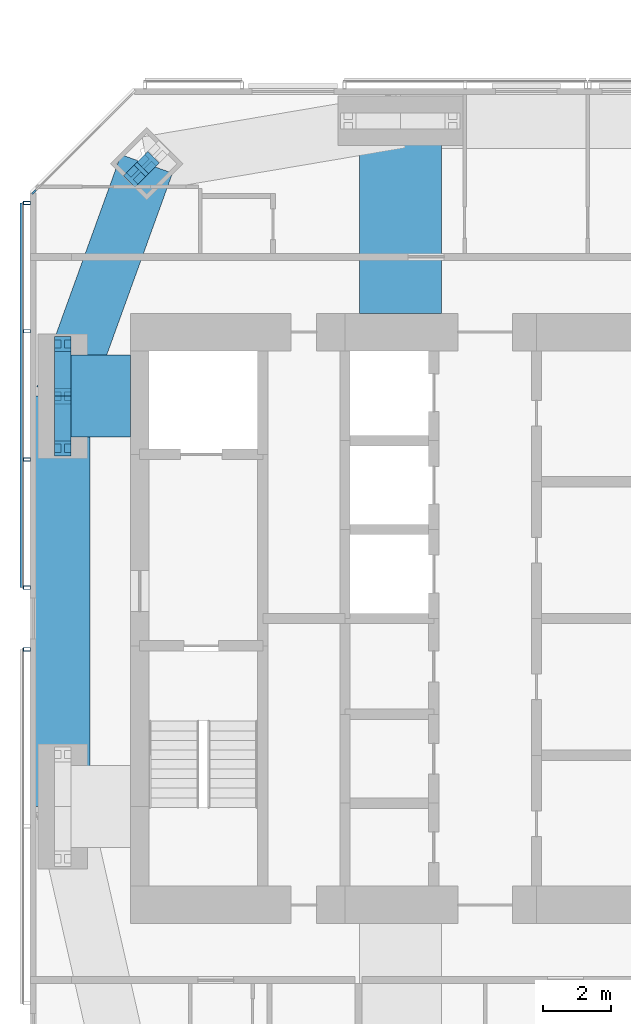
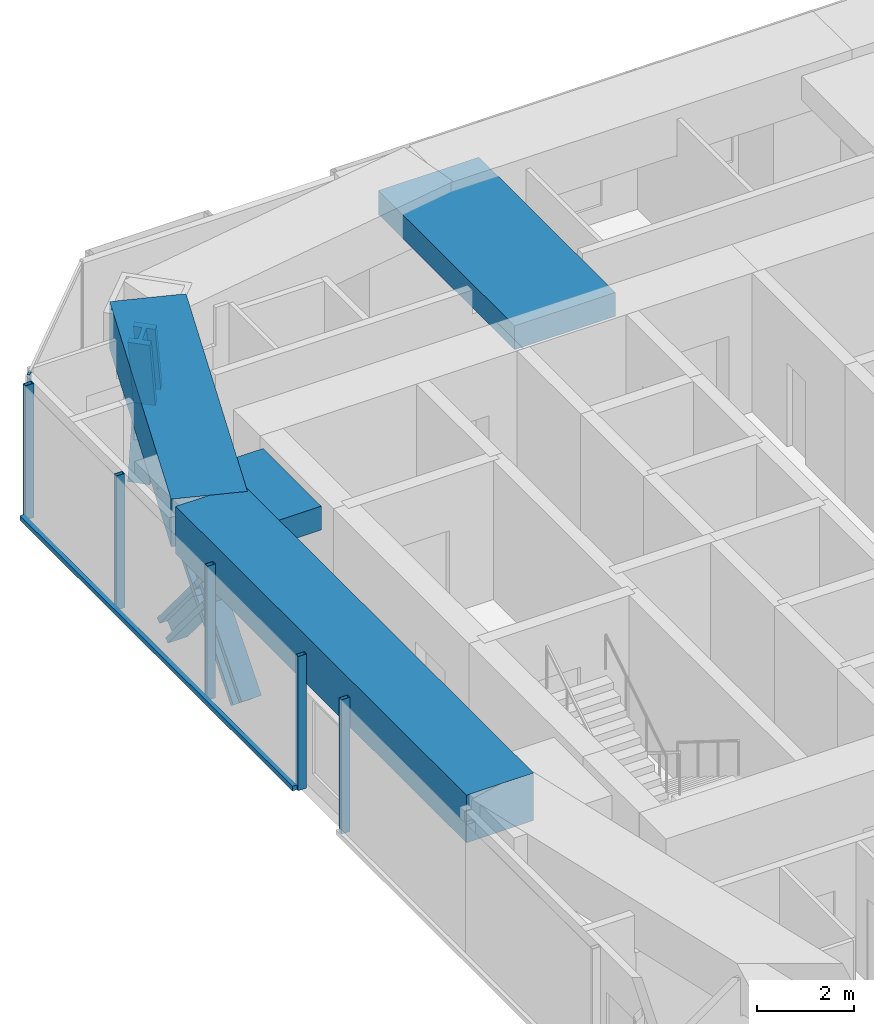
# One storey, part 6 of 19: 13 members, 4 beams, 3 elements without a shape of their own.
"""IFC4 building model written with IfcOpenShell, lengths in metres."""

from ifc_helpers import new_model, si_unit, direction, frame, origin, origin_2d, place, context, subcontext, project, spatial, rectangle, hollow_rectangle, i_section, extrude, material, material_profile, profile_set, type_object, element, aggregate, save


model = new_model("IFC4")

# Units and contexts
model_context = context("Model", 3, precision=1e-05, world=origin(), true_north=direction((0.0, 1.0)))
body_context = subcontext(model_context, "Body", "Model", "MODEL_VIEW")
ifc_project = project(units=[si_unit("LENGTHUNIT", "METRE"), si_unit("AREAUNIT", "SQUARE_METRE"), si_unit("VOLUMEUNIT", "CUBIC_METRE"), si_unit("PLANEANGLEUNIT", "RADIAN"), si_unit("MASSUNIT", "GRAM", prefix="KILO")], contexts=[model_context])

# Site, building, storey
site_placement = place(None, origin())
site = spatial("IfcSite", under=ifc_project, at=site_placement, CompositionType="ELEMENT")
building_placement = place(site_placement, origin())
building = spatial("IfcBuilding", under=site, at=building_placement, Name="Jalousie Tower", CompositionType="ELEMENT")
storey_placement = place(building_placement, frame((0.0, 0.0, 217.949951171875)))
storey = spatial("IfcBuildingStorey", under=building, at=storey_placement, Name="L59", CompositionType="ELEMENT", Elevation=217.949951171875)

# Curtain wall, member
ifc_material_1 = material(Name="Aluminium curtain wall", Category="aluminium")
curtain_wall_type_1 = type_object("IfcCurtainWallType", Name="CORNER WINDOW WALL", PredefinedType="USERDEFINED", material=ifc_material_1)
curtain_wall_1_placement = place(storey_placement, origin())
curtain_wall_1 = element("IfcCurtainWall", 1, at=curtain_wall_1_placement, inside=storey, type_object=curtain_wall_type_1, Name="Corner Window Wall L59 6", ObjectType="CORNER WINDOW WALL", PredefinedType="USERDEFINED")
ifc_material_2 = material(Name="Aluminium mullion", Category="aluminium")
ifc_material_profile_1 = material_profile(ifc_material_2, rectangle(XDim=0.06005859375, YDim=0.14990234375, at=origin_2d()), Name="MULLION 60x150")
ifc_profile_set_1 = profile_set([ifc_material_profile_1], Name="Aluminium mullion")
member_type_1 = type_object("IfcMemberType", Name="CORNER WINDOW WALL MULLION", PredefinedType="MULLION", material=ifc_profile_set_1)
member_1_placement = place(storey_placement, frame((16.90869140625, 30.969970703125, 0.0), z_axis=(0.0, 0.0, 1.0), x_axis=(0.707106781187, -0.707106781187, 0.0)))
member_1 = element("IfcMember", 2, at=member_1_placement, type_object=member_type_1, Name="CW-C mullion 2", PredefinedType="MULLION", context=body_context, shape_type="SweptSolid", body=[
    extrude(rectangle(XDim=0.06005859375, YDim=0.14990234375, at=origin_2d()), origin(), (0.0, 0.0, 1.0), 3.260009765625),
])
aggregate(curtain_wall_1, [member_1])

# Members
ifc_material_3 = material(Name="Steel ASTM A992 Grade 50", Category="steel")
ifc_material_profile_2 = material_profile(ifc_material_3, i_section(OverallWidth=0.472412109375, OverallDepth=0.5791015625, WebThickness=0.094970703125, FlangeThickness=0.1298828125, at=origin_2d()), Name="W14X808")
ifc_profile_set_2 = profile_set([ifc_material_profile_2], Name="Steel ASTM A992 Grade 50")
member_type_2 = type_object("IfcMemberType", Name="PERIMETER BRACE W14X808", PredefinedType="BRACE", material=ifc_profile_set_2)
member_2_placement = place(storey_placement, frame((20.20703125, 31.79296875, 1.074951171875), z_axis=(-0.169222490292, -0.169352361735, 0.970918908228), x_axis=(0.707377963048, -0.706835495285, 0.0)))
element("IfcMember", 3, at=member_2_placement, inside=storey, type_object=member_type_2, Name="Perimeter brace 12 L59 part 2", PredefinedType="BRACE", context=body_context, shape_type="SweptSolid", body=[
    extrude(i_section(OverallWidth=0.472412109375, OverallDepth=0.5791015625, WebThickness=0.094970703125, FlangeThickness=0.1298828125, at=origin_2d()), origin(), (0.0, 0.0, 1.0), 1.8798828125),
])
member_3_placement = place(storey_placement, frame((19.888916015625, 31.474609375, -0.75), z_axis=(0.16924383095, 0.169373718771, 0.970911463047), x_axis=(-0.707377963048, 0.706835495285, 0.0)))
element("IfcMember", 4, at=member_3_placement, inside=storey, type_object=member_type_2, Name="Perimeter brace 12 L59 part 3", PredefinedType="BRACE", context=body_context, shape_type="SweptSolid", body=[
    extrude(i_section(OverallWidth=0.472412109375, OverallDepth=0.5791015625, WebThickness=0.094970703125, FlangeThickness=0.1298828125, at=origin_2d()), origin(), (0.0, 0.0, 1.0), 1.879638671875),
])
member_4_placement = place(storey_placement, frame((17.75, 23.47509765625, -0.75), z_axis=(0.0, 0.641203686759, 0.767370726629), x_axis=(-1.0, 0.0, 0.0)))
element("IfcMember", 5, at=member_4_placement, inside=storey, type_object=member_type_2, Name="Perimeter brace 13 L59 part 1", PredefinedType="BRACE", context=body_context, shape_type="SweptSolid", body=[
    extrude(i_section(OverallWidth=0.472412109375, OverallDepth=0.5791015625, WebThickness=0.094970703125, FlangeThickness=0.1298828125, at=origin_2d()), origin(), (0.0, 0.0, 1.0), 2.378173828125),
])
member_5_placement = place(storey_placement, frame((17.75, 25.0, 1.074951171875), z_axis=(0.0, 0.641153177267, 0.767412928794), x_axis=(-1.0, 0.0, 0.0)))
element("IfcMember", 6, at=member_5_placement, inside=storey, type_object=member_type_2, Name="Perimeter brace 13 L59 part 2", PredefinedType="BRACE", context=body_context, shape_type="SweptSolid", body=[
    extrude(i_section(OverallWidth=0.472412109375, OverallDepth=0.5791015625, WebThickness=0.094970703125, FlangeThickness=0.1298828125, at=origin_2d()), origin(), (0.0, 0.0, 1.0), 2.37841796875),
])
member_6_placement = place(storey_placement, frame((17.75, 26.52490234375, -0.75), z_axis=(0.0, -0.641203686759, 0.767370726629), x_axis=(1.0, 0.0, 0.0)))
element("IfcMember", 7, at=member_6_placement, inside=storey, type_object=member_type_2, Name="Perimeter brace 13 L59 part 3", PredefinedType="BRACE", context=body_context, shape_type="SweptSolid", body=[
    extrude(i_section(OverallWidth=0.472412109375, OverallDepth=0.5791015625, WebThickness=0.094970703125, FlangeThickness=0.1298828125, at=origin_2d()), origin(), (0.0, 0.0, 1.0), 2.378173828125),
])
member_7_placement = place(storey_placement, frame((17.75, 25.0, 1.074951171875), z_axis=(0.0, -0.641153177267, 0.767412928794), x_axis=(1.0, 0.0, 0.0)))
element("IfcMember", 8, at=member_7_placement, inside=storey, type_object=member_type_2, Name="Perimeter brace 13 L59 part 4", PredefinedType="BRACE", context=body_context, shape_type="SweptSolid", body=[
    extrude(i_section(OverallWidth=0.472412109375, OverallDepth=0.5791015625, WebThickness=0.094970703125, FlangeThickness=0.1298828125, at=origin_2d()), origin(), (0.0, 0.0, 1.0), 2.37841796875),
])

# Beams
ifc_material_4 = material(Name="Concrete f'c 40 MPa", Category="concrete")
ifc_material_profile_3 = material_profile(ifc_material_4, rectangle(XDim=1.60009765625, YDim=1.199951171875, at=origin_2d()), Name="RC 1600x1200")
ifc_profile_set_3 = profile_set([ifc_material_profile_3], Name="Concrete f'c 40 MPa")
beam_type_1 = type_object("IfcBeamType", Name="RC BEAM 1600x1200", PredefinedType="BEAM", material=ifc_profile_set_3)
beam_1_placement = place(storey_placement, frame((20.20703125, 31.79296875, 2.900146484375), z_axis=(-0.340136081654, -0.940376225751, 0.0), x_axis=(0.940376225751, -0.340136081654, 0.0)))
element("IfcBeam", 9, at=beam_1_placement, inside=storey, type_object=beam_type_1, Name="Edge band beam 12-13 under L60", PredefinedType="BEAM", context=body_context, shape_type="SweptSolid", body=[
    extrude(rectangle(XDim=1.60009765625, YDim=1.199951171875, at=origin_2d()), origin(), (0.0, 0.0, 1.0), 7.2236328125),
])
beam_2_placement = place(storey_placement, frame((17.75, 25.0, 2.900146484375), z_axis=(0.0, -1.0, 0.0), x_axis=(1.0, 0.0, 0.0)))
element("IfcBeam", 10, at=beam_2_placement, inside=storey, type_object=beam_type_1, Name="Edge band beam 13-14 under L60", PredefinedType="BEAM", context=body_context, shape_type="SweptSolid", body=[
    extrude(rectangle(XDim=1.60009765625, YDim=1.199951171875, at=origin_2d()), origin(), (0.0, 0.0, 1.0), 12.0),
])
ifc_material_5 = material(Name="Concrete f'c 40 MPa", Category="concrete")
ifc_material_profile_4 = material_profile(ifc_material_5, rectangle(XDim=2.39990234375, YDim=0.60009765625, at=origin_2d()), Name="RC 2400x600")
ifc_profile_set_4 = profile_set([ifc_material_profile_4], Name="Concrete f'c 40 MPa")
beam_type_2 = type_object("IfcBeamType", Name="RC BEAM 2400x600", PredefinedType="BEAM", material=ifc_profile_set_4)
beam_3_placement = place(storey_placement, frame((17.75, 25.0, 2.9599609375), z_axis=(1.0, 0.0, 0.0), x_axis=(0.0, 1.0, 0.0)))
element("IfcBeam", 11, at=beam_3_placement, inside=storey, type_object=beam_type_2, Name="Floor band beam under L60", PredefinedType="BEAM", context=body_context, shape_type="SweptSolid", body=[
    extrude(rectangle(XDim=2.39990234375, YDim=0.60009765625, at=origin_2d()), origin(), (0.0, 0.0, 1.0), 1.97509765625),
])
beam_4_placement = place(storey_placement, frame((27.625, 33.050048828125, 2.9599609375), z_axis=(0.0, -1.0, 0.0), x_axis=(1.0, 0.0, 0.0)))
element("IfcBeam", 12, at=beam_4_placement, inside=storey, type_object=beam_type_2, Name="Floor band beam under L60", PredefinedType="BEAM", context=body_context, shape_type="SweptSolid", body=[
    extrude(rectangle(XDim=2.39990234375, YDim=0.60009765625, at=origin_2d()), origin(), (0.0, 0.0, 1.0), 5.625),
])

# Curtain wall, members
ifc_material_6 = material(Name="Perforated aluminium sheet", Category="aluminium")
curtain_wall_type_2 = type_object("IfcCurtainWallType", Name="SOLAR SCREEN SS-2", PredefinedType="USERDEFINED", material=ifc_material_6)
curtain_wall_2_placement = place(storey_placement, origin())
curtain_wall_2 = element("IfcCurtainWall", 13, at=curtain_wall_2_placement, inside=storey, type_object=curtain_wall_type_2, Name="Solar screen L59", ObjectType="SOLAR SCREEN SS-2", PredefinedType="USERDEFINED")
ifc_material_7 = material(Name="Steel ASTM A500 Grade C", Category="steel")
ifc_material_profile_5 = material_profile(ifc_material_7, hollow_rectangle(XDim=0.1015625, YDim=0.203125, WallThickness=0.0078125, at=origin_2d()), Name="HSS8X4X5/16")
ifc_profile_set_5 = profile_set([ifc_material_profile_5], Name="Steel ASTM A500 Grade C")
member_type_3 = type_object("IfcMemberType", Name="SOLAR SCREEN SS-2 MULLION", PredefinedType="MULLION", material=ifc_profile_set_5)
member_8_placement = place(storey_placement, frame((16.703369140625, 30.648681640625, -0.119873046875), z_axis=(0.0, 0.0, 1.0), x_axis=(0.0, -1.0, 0.0)))
member_8 = element("IfcMember", 14, at=member_8_placement, type_object=member_type_3, Name="SS2 post 1", PredefinedType="MULLION", context=body_context, shape_type="SweptSolid", body=[
    extrude(hollow_rectangle(XDim=0.1015625, YDim=0.203125, WallThickness=0.0078125, at=origin_2d()), origin(), (0.0, 0.0, 1.0), 3.3798828125),
])
member_9_placement = place(storey_placement, frame((16.703369140625, 26.899169921875, -0.119873046875), z_axis=(0.0, 0.0, 1.0), x_axis=(0.0, -1.0, 0.0)))
member_9 = element("IfcMember", 15, at=member_9_placement, type_object=member_type_3, Name="SS2 post 2", PredefinedType="MULLION", context=body_context, shape_type="SweptSolid", body=[
    extrude(hollow_rectangle(XDim=0.1015625, YDim=0.203125, WallThickness=0.0078125, at=origin_2d()), origin(), (0.0, 0.0, 1.0), 3.3798828125),
])
member_10_placement = place(storey_placement, frame((16.703369140625, 23.149658203125, -0.119873046875), z_axis=(0.0, 0.0, 1.0), x_axis=(0.0, -1.0, 0.0)))
member_10 = element("IfcMember", 16, at=member_10_placement, type_object=member_type_3, Name="SS2 post 3", PredefinedType="MULLION", context=body_context, shape_type="SweptSolid", body=[
    extrude(hollow_rectangle(XDim=0.1015625, YDim=0.203125, WallThickness=0.0078125, at=origin_2d()), origin(), (0.0, 0.0, 1.0), 3.3798828125),
])
member_11_placement = place(storey_placement, frame((16.703369140625, 19.39990234375, -0.119873046875), z_axis=(0.0, 0.0, 1.0), x_axis=(0.0, -1.0, 0.0)))
member_11 = element("IfcMember", 17, at=member_11_placement, type_object=member_type_3, Name="SS2 post 4", PredefinedType="MULLION", context=body_context, shape_type="SweptSolid", body=[
    extrude(hollow_rectangle(XDim=0.1015625, YDim=0.203125, WallThickness=0.0078125, at=origin_2d()), origin(), (0.0, 0.0, 1.0), 3.3798828125),
])

# Curtain wall, member
curtain_wall_3_placement = place(storey_placement, origin())
curtain_wall_3 = element("IfcCurtainWall", 18, at=curtain_wall_3_placement, inside=storey, type_object=curtain_wall_type_2, Name="Solar screen L59", ObjectType="SOLAR SCREEN SS-2", PredefinedType="USERDEFINED")
member_12_placement = place(storey_placement, frame((16.703369140625, 17.60009765625, -0.119873046875), z_axis=(0.0, 0.0, 1.0), x_axis=(0.0, -1.0, 0.0)))
member_12 = element("IfcMember", 19, at=member_12_placement, type_object=member_type_3, Name="SS2 post 1", PredefinedType="MULLION", context=body_context, shape_type="SweptSolid", body=[
    extrude(hollow_rectangle(XDim=0.1015625, YDim=0.203125, WallThickness=0.0078125, at=origin_2d()), origin(), (0.0, 0.0, 1.0), 3.3798828125),
])
aggregate(curtain_wall_3, [member_12])

# Member
ifc_material_8 = material(Name="Extruded aluminium screen rail", Category="aluminium")
ifc_material_profile_6 = material_profile(ifc_material_8, rectangle(XDim=0.1015625, YDim=0.1201171875, at=origin_2d()), Name="RAIL 102x120")
ifc_profile_set_6 = profile_set([ifc_material_profile_6], Name="Extruded aluminium screen rail")
member_type_4 = type_object("IfcMemberType", Name="SOLAR SCREEN SS-2 TRANSOM", PredefinedType="USERDEFINED", material=ifc_profile_set_6)
member_13_placement = place(storey_placement, frame((16.551025390625, 30.648681640625, -0.06005859375), z_axis=(0.0, -1.0, 0.0), x_axis=(1.0, 0.0, 0.0)))
member_13 = element("IfcMember", 20, at=member_13_placement, type_object=member_type_4, Name="SS2 rail", ObjectType="TRANSOM", PredefinedType="USERDEFINED", context=body_context, shape_type="SweptSolid", body=[
    extrude(rectangle(XDim=0.1015625, YDim=0.1201171875, at=origin_2d()), origin(), (0.0, 0.0, 1.0), 11.248779296875),
])

aggregate(curtain_wall_2, [member_8, member_9, member_10, member_11, member_13])

save(model, "model.ifc")
